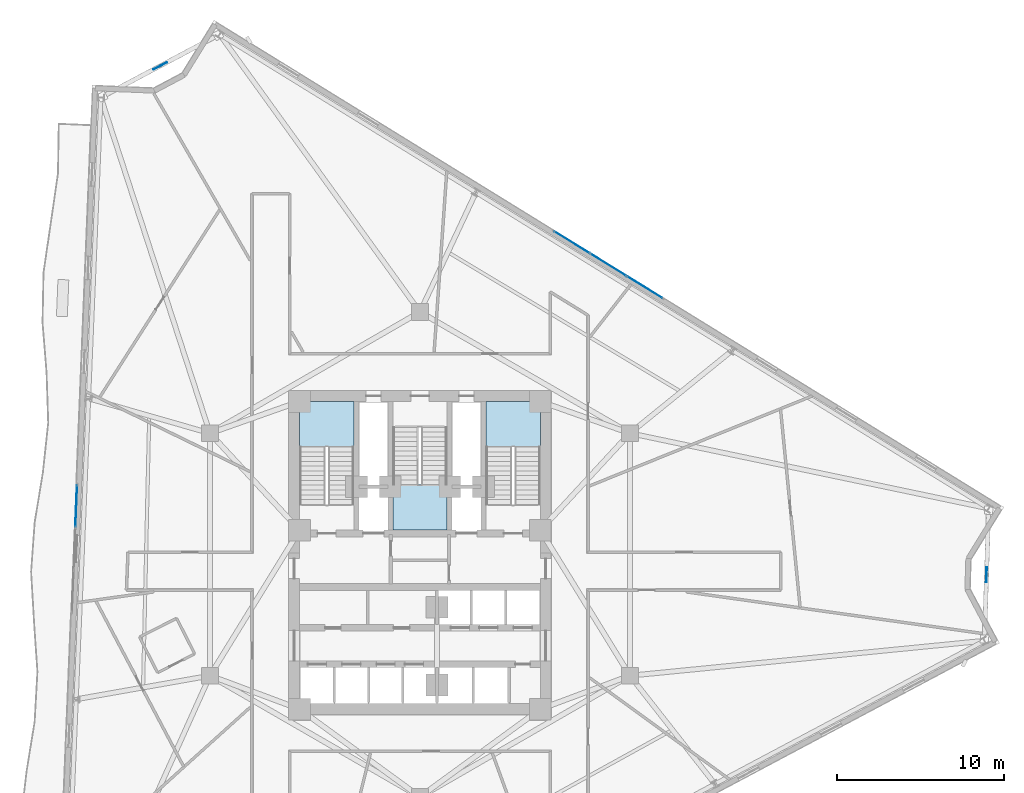
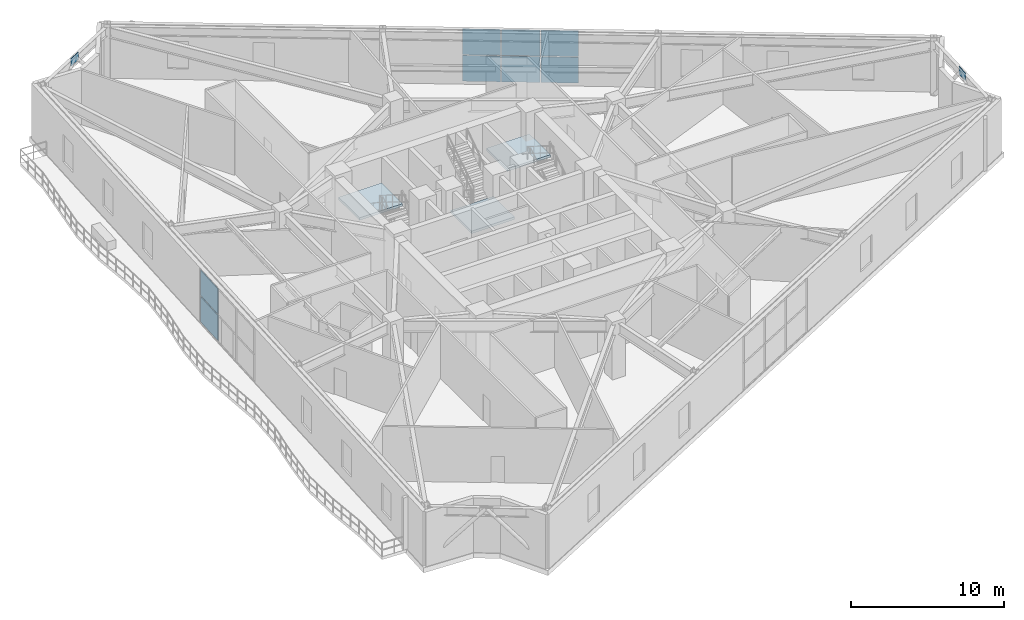
# One storey, part 14 of 22: 10 plates, 3 slabs, 5 elements without a shape of their own.
"""IFC4 building model written with IfcOpenShell, lengths in metres."""

from ifc_helpers import new_model, si_unit, direction, frame, origin, origin_2d, place, context, subcontext, project, spatial, polyline, rectangle, outline, extrude, material, layer, layer_set, type_object, element, aggregate, save


model = new_model("IFC4")

# Units and contexts
model_context = context("Model", 3, precision=1e-05, world=origin(), true_north=direction((0.0, 1.0)))
body_context = subcontext(model_context, "Body", "Model", "MODEL_VIEW")
ifc_project = project(units=[si_unit("LENGTHUNIT", "METRE"), si_unit("AREAUNIT", "SQUARE_METRE"), si_unit("VOLUMEUNIT", "CUBIC_METRE"), si_unit("PLANEANGLEUNIT", "RADIAN"), si_unit("MASSUNIT", "GRAM", prefix="KILO")], contexts=[model_context])

# Site, building, storey
site_placement = place(None, origin())
site = spatial("IfcSite", under=ifc_project, at=site_placement, CompositionType="ELEMENT")
building_placement = place(site_placement, origin())
building = spatial("IfcBuilding", under=site, at=building_placement, Name="Apsidion Concourse Tower", CompositionType="ELEMENT")
storey_placement = place(building_placement, frame((0.0, 0.0, 160.89990234375)))
storey = spatial("IfcBuildingStorey", under=building, at=storey_placement, Name="L37", CompositionType="ELEMENT", Elevation=160.89990234375)

# Curtain wall, plates
ifc_material_1 = material(Name="Insulated laminated low-E glass", Category="glass")
ifc_layer_1 = layer(ifc_material_1, 0.2099609375)
ifc_layer_set_1 = layer_set([ifc_layer_1], Name="Insulated laminated low-E glass")
curtain_wall_type = type_object("IfcCurtainWallType", Name="CW-SYS-03", PredefinedType="NOTDEFINED", material=ifc_layer_set_1)
curtain_wall_1_placement = place(storey_placement, origin())
curtain_wall_1 = element("IfcCurtainWall", 1, at=curtain_wall_1_placement, inside=storey, type_object=curtain_wall_type, Name="L37 Sky Lobby Curtain Wall 1", PredefinedType="NOTDEFINED")
ifc_layer_2 = layer(ifc_material_1, 0.031982421875)
ifc_layer_set_2 = layer_set([ifc_layer_2], Name="Insulated laminated low-E glass")
plate_type_1 = type_object("IfcPlateType", Name="CWP-GLZ-32", PredefinedType="CURTAIN_PANEL", material=ifc_layer_set_2)
plate_1_placement = place(storey_placement, frame((9.086669921875, 18.6689453125, 0.06494140625), z_axis=(0.0, 0.0, 1.0), x_axis=(0.851169325579, -0.524891207008, 0.0)))
plate_1 = element("IfcPlate", 2, at=plate_1_placement, type_object=plate_type_1, Name="CW-03 panel 1.1", PredefinedType="CURTAIN_PANEL", context=body_context, shape_type="SweptSolid", body=[
    extrude(rectangle(XDim=2.474365234375, YDim=0.031982421875, at=origin_2d()), origin(), (0.0, 0.0, 1.0), 2.052490234375),
])
plate_2_placement = place(storey_placement, frame((9.086669921875, 18.6689453125, 2.1826171875), z_axis=(0.0, 0.0, 1.0), x_axis=(0.851169325579, -0.524891207008, 0.0)))
plate_2 = element("IfcPlate", 3, at=plate_2_placement, type_object=plate_type_1, Name="CW-03 panel 1.2", PredefinedType="CURTAIN_PANEL", context=body_context, shape_type="SweptSolid", body=[
    extrude(rectangle(XDim=2.474365234375, YDim=0.031982421875, at=origin_2d()), origin(), (0.0, 0.0, 1.0), 2.052490234375),
])
plate_3_placement = place(storey_placement, frame((11.261962890625, 17.327392578125, 0.06494140625), z_axis=(0.0, 0.0, 1.0), x_axis=(0.851169325579, -0.524891207008, 0.0)))
plate_3 = element("IfcPlate", 4, at=plate_3_placement, type_object=plate_type_1, Name="CW-03 panel 2.1", PredefinedType="CURTAIN_PANEL", context=body_context, shape_type="SweptSolid", body=[
    extrude(rectangle(XDim=2.5068359375, YDim=0.031982421875, at=origin_2d()), origin(), (0.0, 0.0, 1.0), 2.052490234375),
])
plate_4_placement = place(storey_placement, frame((11.261962890625, 17.327392578125, 2.1826171875), z_axis=(0.0, 0.0, 1.0), x_axis=(0.851169325579, -0.524891207008, 0.0)))
plate_4 = element("IfcPlate", 5, at=plate_4_placement, type_object=plate_type_1, Name="CW-03 panel 2.2", PredefinedType="CURTAIN_PANEL", context=body_context, shape_type="SweptSolid", body=[
    extrude(rectangle(XDim=2.5068359375, YDim=0.031982421875, at=origin_2d()), origin(), (0.0, 0.0, 1.0), 2.052490234375),
])
plate_5_placement = place(storey_placement, frame((13.437255859375, 15.986083984375, 0.06494140625), z_axis=(0.0, 0.0, 1.0), x_axis=(0.851169325579, -0.524891207008, 0.0)))
plate_5 = element("IfcPlate", 6, at=plate_5_placement, type_object=plate_type_1, Name="CW-03 panel 3.1", PredefinedType="CURTAIN_PANEL", context=body_context, shape_type="SweptSolid", body=[
    extrude(rectangle(XDim=2.474365234375, YDim=0.031982421875, at=origin_2d()), origin(), (0.0, 0.0, 1.0), 2.052490234375),
])
plate_6_placement = place(storey_placement, frame((13.437255859375, 15.986083984375, 2.1826171875), z_axis=(0.0, 0.0, 1.0), x_axis=(0.851169325579, -0.524891207008, 0.0)))
plate_6 = element("IfcPlate", 7, at=plate_6_placement, type_object=plate_type_1, Name="CW-03 panel 3.2", PredefinedType="CURTAIN_PANEL", context=body_context, shape_type="SweptSolid", body=[
    extrude(rectangle(XDim=2.474365234375, YDim=0.031982421875, at=origin_2d()), origin(), (0.0, 0.0, 1.0), 2.052490234375),
])
aggregate(curtain_wall_1, [plate_1, plate_2, plate_3, plate_4, plate_5, plate_6])

curtain_wall_2_placement = place(storey_placement, origin())
curtain_wall_2 = element("IfcCurtainWall", 8, at=curtain_wall_2_placement, inside=storey, type_object=curtain_wall_type, Name="L37 Sky Lobby Curtain Wall 9", PredefinedType="NOTDEFINED")
plate_7_placement = place(storey_placement, frame((-20.558349609375, 2.90625, 0.06494140625), z_axis=(0.0, 0.0, 1.0), x_axis=(0.0408143221, 0.999166748402, 0.0)))
plate_7 = element("IfcPlate", 9, at=plate_7_placement, type_object=plate_type_1, Name="CW-03 panel 3.1", PredefinedType="CURTAIN_PANEL", context=body_context, shape_type="SweptSolid", body=[
    extrude(rectangle(XDim=2.474365234375, YDim=0.031982421875, at=origin_2d()), origin(), (0.0, 0.0, 1.0), 2.052490234375),
])
plate_8_placement = place(storey_placement, frame((-20.558349609375, 2.90625, 2.1826171875), z_axis=(0.0, 0.0, 1.0), x_axis=(0.0408143221, 0.999166748402, 0.0)))
plate_8 = element("IfcPlate", 10, at=plate_8_placement, type_object=plate_type_1, Name="CW-03 panel 3.2", PredefinedType="CURTAIN_PANEL", context=body_context, shape_type="SweptSolid", body=[
    extrude(rectangle(XDim=2.474365234375, YDim=0.031982421875, at=origin_2d()), origin(), (0.0, 0.0, 1.0), 2.052490234375),
])
aggregate(curtain_wall_2, [plate_7, plate_8])

# Plates
ifc_material_2 = material(Name="Structural steel ASTM A572 Grade 50", Category="steel")
ifc_layer_3 = layer(ifc_material_2, 0.0400390625)
ifc_layer_set_3 = layer_set([ifc_layer_3], Name="Structural steel ASTM A572 Grade 50")
plate_type_2 = type_object("IfcPlateType", Name="PL-GUSSET-40", PredefinedType="SHEET", material=ifc_layer_set_3)
for number, where, z_axis, x_axis, name in (
    (11, (33.884765625, -1.204345703125, 3.77001953125), (0.0, 0.0, 1.0), (0.03193409516, 0.999489976721, 0.0), "L37 Chevron Apex Node Gusset Plate KNA-2"),
    (12, (-15.535888671875, 29.218994140625, 3.77001953125), (0.0, 0.0, 1.0), (0.882947592859, 0.469471562786, 0.0), "L37 Chevron Apex Node Gusset Plate KNA-3"),
):
    element("IfcPlate", number, at=place(storey_placement, frame(where, z_axis=z_axis, x_axis=x_axis)), inside=storey, type_object=plate_type_2, Name=name, PredefinedType="SHEET", context=body_context, shape_type="SweptSolid", body=[
        extrude(rectangle(XDim=0.89990234375, YDim=0.0400390625, at=origin_2d()), origin(), (0.0, 0.0, 1.0), 0.60009765625),
    ])

# Stair, slab
ifc_material_3 = material(Name="Precast concrete C40/50", Category="concrete")
stair_type = type_object("IfcStairType", Name="ST-DL-1550", PredefinedType="HALF_TURN_STAIR", material=ifc_material_3)
stair_1_placement = place(storey_placement, origin())
stair_1 = element("IfcStair", 13, at=stair_1_placement, inside=storey, type_object=stair_type, Name="L37 Protected Core Exit Stair ST1", PredefinedType="HALF_TURN_STAIR")
ifc_material_4 = material(Name="Concrete C50/60", Category="concrete")
ifc_layer_4 = layer(ifc_material_4, 0.199951171875)
ifc_layer_set_4 = layer_set([ifc_layer_4], Name="Concrete C50/60")
slab_type = type_object("IfcSlabType", Name="SL-ST-LAND-200", PredefinedType="LANDING", material=ifc_layer_set_4)
slab_1_placement = place(storey_placement, frame((0.0, 0.0, 2.10009765625)))
slab_1 = element("IfcSlab", 14, at=slab_1_placement, type_object=slab_type, Name="ST1 landing 1", PredefinedType="LANDING", context=body_context, shape_type="SweptSolid", body=[
    extrude(outline(polyline([(-3.949951171875, 6.419921875), (-3.949951171875, 9.14990234375), (-7.199951171875, 9.14990234375), (-7.199951171875, 6.419921875), (-3.949951171875, 6.419921875)])), origin(), (0.0, 0.0, 1.0), 0.199951171875),
])
aggregate(stair_1, [slab_1])

stair_2_placement = place(storey_placement, origin())
stair_2 = element("IfcStair", 15, at=stair_2_placement, inside=storey, type_object=stair_type, Name="L37 Protected Core Exit Stair ST2", PredefinedType="HALF_TURN_STAIR")
slab_2_placement = place(storey_placement, frame((0.0, 0.0, 2.10009765625)))
slab_2 = element("IfcSlab", 16, at=slab_2_placement, type_object=slab_type, Name="ST2 landing 1", PredefinedType="LANDING", context=body_context, shape_type="SweptSolid", body=[
    extrude(outline(polyline([(7.199951171875, 6.419921875), (7.199951171875, 9.14990234375), (3.949951171875, 9.14990234375), (3.949951171875, 6.419921875), (7.199951171875, 6.419921875)])), origin(), (0.0, 0.0, 1.0), 0.199951171875),
])
aggregate(stair_2, [slab_2])

stair_3_placement = place(storey_placement, origin())
stair_3 = element("IfcStair", 17, at=stair_3_placement, inside=storey, type_object=stair_type, Name="L37 Protected Core Exit Stair ST3", PredefinedType="HALF_TURN_STAIR")
slab_3_placement = place(storey_placement, frame((0.0, 0.0, 2.10009765625)))
slab_3 = element("IfcSlab", 18, at=slab_3_placement, type_object=slab_type, Name="ST3 landing 1", PredefinedType="LANDING", context=body_context, shape_type="SweptSolid", body=[
    extrude(outline(polyline([(-1.625, 4.179931640625), (-1.625, 1.449951171875), (1.625, 1.449951171875), (1.625, 4.179931640625), (-1.625, 4.179931640625)])), origin(), (0.0, 0.0, 1.0), 0.199951171875),
])
aggregate(stair_3, [slab_3])

save(model, "model.ifc")
